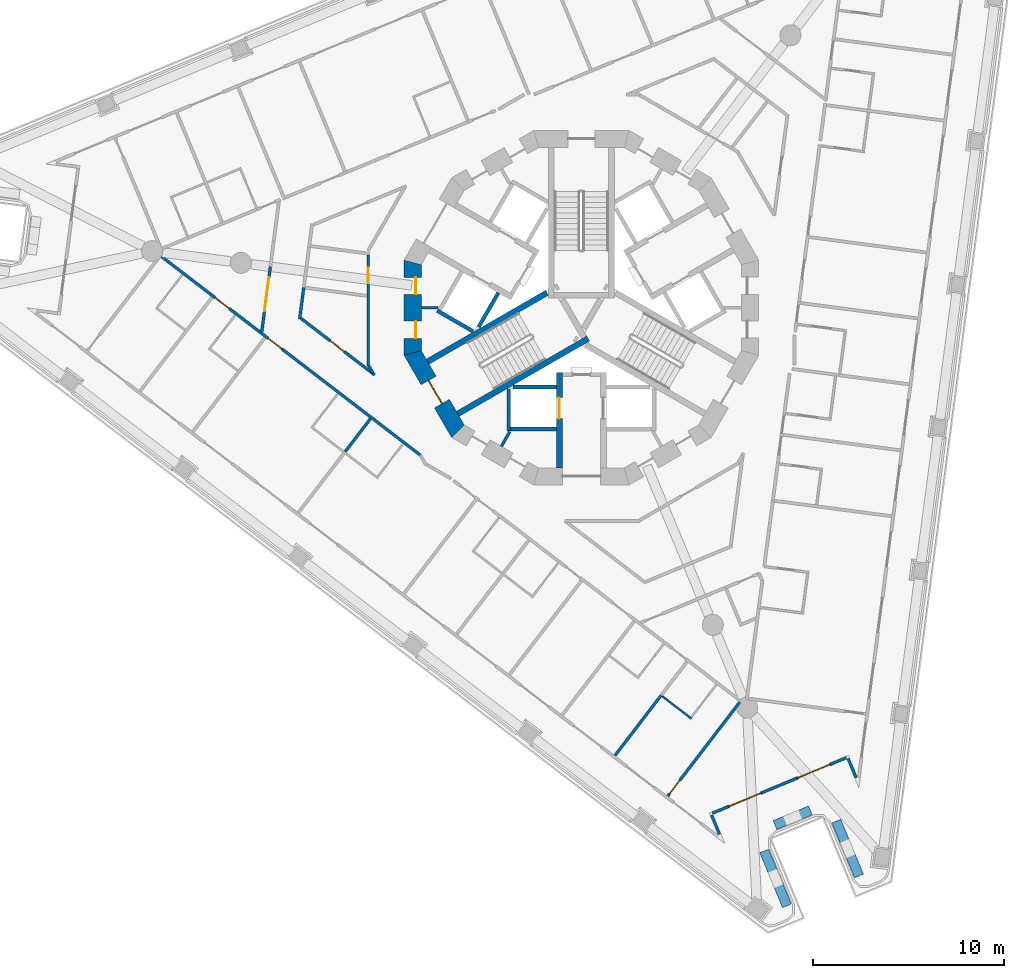
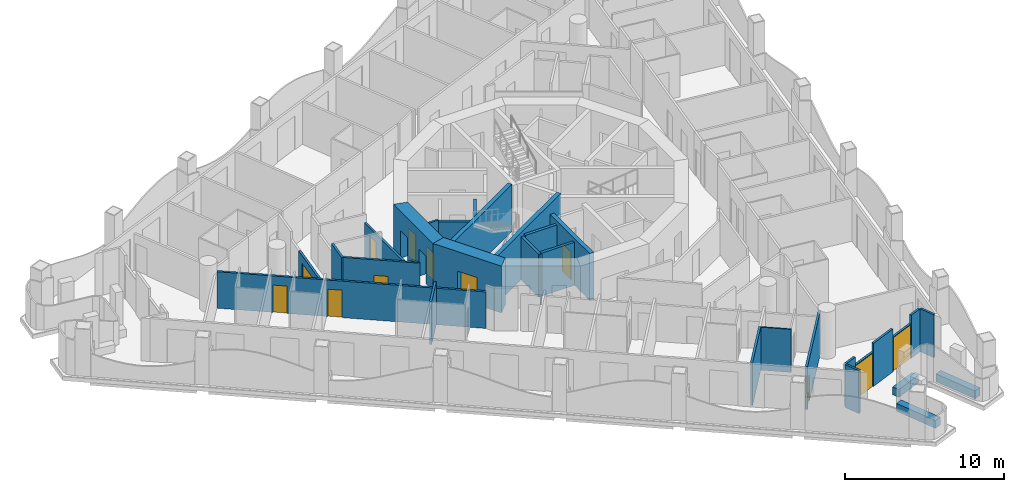
# One storey, part 3 of 17: 32 walls, 12 doors, 12 openings.
"""IFC4 building model written with IfcOpenShell, lengths in metres."""

from ifc_helpers import new_model, si_unit, direction, frame, frame_2d, origin, place, context, subcontext, project, spatial, polyline, rectangle, outline, extrude, material, layer, layer_set, type_object, element, fill, save


model = new_model("IFC4")

# Units and contexts
model_context = context("Model", 3, precision=1e-05, world=origin(), true_north=direction((0.0, 1.0)))
body_context = subcontext(model_context, "Body", "Model", "MODEL_VIEW")
ifc_project = project(units=[si_unit("LENGTHUNIT", "METRE"), si_unit("AREAUNIT", "SQUARE_METRE"), si_unit("VOLUMEUNIT", "CUBIC_METRE"), si_unit("PLANEANGLEUNIT", "RADIAN"), si_unit("MASSUNIT", "GRAM", prefix="KILO")], contexts=[model_context])

# Site, building, storey
site_placement = place(None, origin())
site = spatial("IfcSite", under=ifc_project, at=site_placement, CompositionType="ELEMENT")
building_placement = place(site_placement, origin())
building = spatial("IfcBuilding", under=site, at=building_placement, Name="Trine Commons Tower", CompositionType="ELEMENT")
storey_placement = place(building_placement, frame((0.0, 0.0, 131.39990234375)))
storey = spatial("IfcBuildingStorey", under=building, at=storey_placement, Name="L33", CompositionType="ELEMENT", Elevation=131.39990234375)

# Walls
ifc_material_1 = material(Name="Plasterboard partition on steel studs", Category="steel")
ifc_layer_1 = layer(ifc_material_1, 0.14990234375)
ifc_layer_set_1 = layer_set([ifc_layer_1], Name="Plasterboard partition on steel studs")
wall_type_1 = type_object("IfcWallType", Name="Core room partition 150 mm, EI 60", PredefinedType="PARTITIONING", material=ifc_layer_set_1)
for number, where, z_axis, x_axis, name in (
    (1, (71.626953125, 62.5, 0.0), (0.0, 0.0, 1.0), (1.0, 0.0, 0.0), "Core room partition L33"),
    (2, (75.81396484375, 55.2490234375, 0.0), (0.0, 0.0, 1.0), (0.499890179513, 0.866088799389, 0.0), "Core room partition L33"),
):
    element("IfcWall", number, at=place(storey_placement, frame(where, z_axis=z_axis, x_axis=x_axis)), inside=storey, type_object=wall_type_1, Name=name, PredefinedType="PARTITIONING", context=body_context, shape_type="SweptSolid", body=[
        extrude(rectangle(XDim=0.882080078125, YDim=0.14990234375, at=frame_2d((0.44091796875, 0.0))), origin(), (0.0, 0.0, 1.0), 3.300048828125),
    ])
ifc_material_2 = material(Name="Aluminium-framed insulated wall panel", Category="aluminium")
ifc_layer_2 = layer(ifc_material_2, 0.14990234375)
ifc_layer_set_2 = layer_set([ifc_layer_2], Name="Aluminium-framed insulated wall panel")
wall_type_2 = type_object("IfcWallType", Name="Glazed frame wall 150, EI 60", PredefinedType="SOLIDWALL", material=ifc_layer_set_2)
wall_1_placement = place(storey_placement, frame((94.42041015625, 37.78564453125, 0.0), z_axis=(0.0, 0.0, 1.0), x_axis=(-0.382629665579, 0.923901801611, 0.0)))
element("IfcWall", 3, at=wall_1_placement, inside=storey, type_object=wall_type_2, Name="Glazed frame wall R9", PredefinedType="SOLIDWALL", context=body_context, shape_type="SweptSolid", body=[
    extrude(outline(polyline([(0.1494140625, 0.074951171875), (0.1494140625, -0.074951171875), (1.235107421875, -0.074951171875), (1.235107421875, 0.074951171875), (0.1494140625, 0.074951171875)])), origin(), (0.0, 0.0, 1.0), 3.300048828125),
])
wall_2_placement = place(storey_placement, frame((93.951416015625, 39.009521484375, 0.0), z_axis=(0.0, 0.0, 1.0), x_axis=(-0.923826362943, -0.382811769845, 0.0)))
element("IfcWall", 4, at=wall_2_placement, inside=storey, type_object=wall_type_2, Name="Glazed frame wall P3.1", PredefinedType="SOLIDWALL", context=body_context, shape_type="SweptSolid", body=[
    extrude(outline(polyline([(0.110107421875, -0.074951171875), (1.0, -0.074951171875), (1.0, 0.074951171875), (0.110107421875, 0.074951171875), (0.110107421875, -0.074951171875)])), origin(), (0.0, 0.0, 1.0), 3.300048828125),
])

# Wall, opening, door
wall_3_placement = place(storey_placement, frame((93.027587890625, 38.626708984375, 0.0), z_axis=(0.0, 0.0, 1.0), x_axis=(-0.923888414498, -0.382661988648, 0.0)))
wall_3 = element("IfcWall", 5, at=wall_3_placement, inside=storey, type_object=wall_type_2, Name="Glazed frame wall P3.2", PredefinedType="SOLIDWALL", context=body_context, shape_type="SweptSolid", body=[
    extrude(outline(polyline([(0.0, -0.074951171875), (1.89990234375, -0.074951171875), (1.89990234375, 0.074951171875), (0.0, 0.074951171875), (0.0, -0.074951171875)])), origin(), (0.0, 0.0, 1.0), 2.650146484375),
])
opening_1_placement = place(wall_3_placement, frame((0.050048828125, 0.0, 0.0)))
opening_1 = element("IfcOpeningElement", 6, at=opening_1_placement, cuts=wall_3, Name="Opening BD-4P3-01", PredefinedType="OPENING", context=body_context, shape_type="SweptSolid", body=[
    extrude(rectangle(XDim=1.800048828125, YDim=2.60009765625, at=frame_2d((0.89990234375, 1.300048828125))), frame((0.0, 0.0849609375, 0.0), z_axis=(0.0, -1.0, 0.0), x_axis=(1.0, 0.0, 0.0)), (0.0, 0.0, 1.0), 0.169921875),
])
ifc_material_3 = material(Name="Anodised aluminium frame with double glazing", Category="aluminium")
door_type_1 = type_object("IfcDoorType", Name="Sliding loggia door 1800x2600", OperationType="SLIDING_TO_LEFT", PredefinedType="DOOR", material=ifc_material_3)
door_1_placement = place(opening_1_placement, origin())
door_1 = element("IfcDoor", 7, at=door_1_placement, inside=storey, type_object=door_type_1, Name="Loggia door P3 1", OperationType="SLIDING_TO_LEFT", OverallHeight=2.60009765625, OverallWidth=1.800048828125, PredefinedType="DOOR", context=body_context, shape_type="SweptSolid", body=[
    extrude(rectangle(XDim=1.800048828125, YDim=2.60009765625, at=frame_2d((0.89990234375, 1.300048828125))), frame((0.0, 0.02490234375, 0.0), z_axis=(0.0, -1.0, 0.0), x_axis=(1.0, 0.0, 0.0)), (0.0, 0.0, 1.0), 0.050048828125),
])
fill(opening_1, door_1)

# Wall
wall_4_placement = place(storey_placement, frame((91.272216796875, 37.899658203125, 0.0), z_axis=(0.0, 0.0, 1.0), x_axis=(-0.923887406181, -0.382664423091, 0.0)))
element("IfcWall", 8, at=wall_4_placement, inside=storey, type_object=wall_type_2, Name="Glazed frame wall P3.3", PredefinedType="SOLIDWALL", context=body_context, shape_type="SweptSolid", body=[
    extrude(outline(polyline([(0.0, -0.074951171875), (2.0, -0.074951171875), (2.0, 0.074951171875), (0.0, 0.074951171875), (0.0, -0.074951171875)])), origin(), (0.0, 0.0, 1.0), 3.300048828125),
])

# Wall, opening, door
wall_5_placement = place(storey_placement, frame((89.42431640625, 37.13427734375, 0.0), z_axis=(0.0, 0.0, 1.0), x_axis=(-0.923869595408, -0.382707421773, 0.0)))
wall_5 = element("IfcWall", 9, at=wall_5_placement, inside=storey, type_object=wall_type_2, Name="Glazed frame wall P3.4", PredefinedType="SOLIDWALL", context=body_context, shape_type="SweptSolid", body=[
    extrude(outline(polyline([(0.0, -0.074951171875), (1.89990234375, -0.074951171875), (1.89990234375, 0.074951171875), (0.0, 0.074951171875), (0.0, -0.074951171875)])), origin(), (0.0, 0.0, 1.0), 2.650146484375),
])
opening_2_placement = place(wall_5_placement, frame((0.050048828125, 0.0, 0.0)))
opening_2 = element("IfcOpeningElement", 10, at=opening_2_placement, cuts=wall_5, Name="Opening BD-4P3-02", PredefinedType="OPENING", context=body_context, shape_type="SweptSolid", body=[
    extrude(rectangle(XDim=1.800048828125, YDim=2.60009765625, at=frame_2d((0.89990234375, 1.300048828125))), frame((0.0, 0.0849609375, 0.0), z_axis=(0.0, -1.0, 0.0), x_axis=(1.0, 0.0, 0.0)), (0.0, 0.0, 1.0), 0.169921875),
])
door_2_placement = place(opening_2_placement, origin())
door_2 = element("IfcDoor", 11, at=door_2_placement, inside=storey, type_object=door_type_1, Name="Loggia door P3 2", OperationType="SLIDING_TO_LEFT", OverallHeight=2.60009765625, OverallWidth=1.800048828125, PredefinedType="DOOR", context=body_context, shape_type="SweptSolid", body=[
    extrude(rectangle(XDim=1.800048828125, YDim=2.60009765625, at=frame_2d((0.89990234375, 1.300048828125))), frame((0.0, 0.02490234375, 0.0), z_axis=(0.0, -1.0, 0.0), x_axis=(1.0, 0.0, 0.0)), (0.0, 0.0, 1.0), 0.050048828125),
])
fill(opening_2, door_2)

# Walls
wall_6_placement = place(storey_placement, frame((87.669189453125, 36.4072265625, 0.0), z_axis=(0.0, 0.0, 1.0), x_axis=(-0.923862128325, -0.382725447084, 0.0)))
element("IfcWall", 12, at=wall_6_placement, inside=storey, type_object=wall_type_2, Name="Glazed frame wall P3.5", PredefinedType="SOLIDWALL", context=body_context, shape_type="SweptSolid", body=[
    extrude(outline(polyline([(0.889892578125, 0.074951171875), (0.0, 0.074951171875), (0.0, -0.074951171875), (0.889892578125, -0.074951171875), (0.889892578125, 0.074951171875)])), origin(), (0.0, 0.0, 1.0), 3.300048828125),
])
wall_7_placement = place(storey_placement, frame((86.76416015625, 36.0703125, 0.0), z_axis=(0.0, 0.0, 1.0), x_axis=(0.382629665579, -0.923901801611, 0.0)))
element("IfcWall", 13, at=wall_7_placement, inside=storey, type_object=wall_type_2, Name="Glazed frame wall R11", PredefinedType="SOLIDWALL", context=body_context, shape_type="SweptSolid", body=[
    extrude(outline(polyline([(0.110107421875, 0.074951171875), (0.110107421875, -0.074951171875), (1.19580078125, -0.074951171875), (1.19580078125, 0.074951171875), (0.110107421875, 0.074951171875)])), origin(), (0.0, 0.0, 1.0), 3.300048828125),
])
ifc_material_4 = material(Name="Planter trough, precast concrete C40/50", Category="concrete")
ifc_layer_3 = layer(ifc_material_4, 0.5)
ifc_layer_set_3 = layer_set([ifc_layer_3], Name="Planter trough, precast concrete C40/50")
wall_type_3 = type_object("IfcWallType", Name="Planter trough 500x600", PredefinedType="PARAPET", material=ifc_layer_set_3)
wall_8_placement = place(storey_placement, frame((94.515625, 32.78662109375, 0.0), z_axis=(0.0, 0.0, 1.0), x_axis=(-0.382674068277, 0.923883411188, 0.0)))
element("IfcWall", 14, at=wall_8_placement, inside=storey, type_object=wall_type_3, Name="Planter 7", PredefinedType="PARAPET", context=body_context, shape_type="SweptSolid", body=[
    extrude(rectangle(XDim=3.099853515625, YDim=0.5, at=frame_2d((1.5498046875, 0.0))), origin(), (0.0, 0.0, 1.0), 0.60009765625),
])
wall_9_placement = place(storey_placement, frame((91.970703125, 36.21337890625, 0.0), z_axis=(0.0, 0.0, 1.0), x_axis=(-0.923930555985, -0.382560227567, 0.0)))
element("IfcWall", 15, at=wall_9_placement, inside=storey, type_object=wall_type_3, Name="Planter 8", PredefinedType="PARAPET", context=body_context, shape_type="SweptSolid", body=[
    extrude(rectangle(XDim=2.0, YDim=0.5, at=frame_2d((1.0, 0.0))), origin(), (0.0, 0.0, 1.0), 0.60009765625),
])
wall_10_placement = place(storey_placement, frame((89.56005859375, 34.08935546875, 0.0), z_axis=(0.0, 0.0, 1.0), x_axis=(0.382674068277, -0.923883411188, 0.0)))
element("IfcWall", 16, at=wall_10_placement, inside=storey, type_object=wall_type_3, Name="Planter 9", PredefinedType="PARAPET", context=body_context, shape_type="SweptSolid", body=[
    extrude(rectangle(XDim=3.099853515625, YDim=0.5, at=frame_2d((1.5498046875, 0.0))), origin(), (0.0, 0.0, 1.0), 0.60009765625),
])

# Wall, opening, door
ifc_material_5 = material(Name="Concrete C70/85", Category="concrete")
ifc_layer_4 = layer(ifc_material_5, 0.300048828125)
ifc_layer_set_4 = layer_set([ifc_layer_4], Name="Concrete C70/85")
wall_type_4 = type_object("IfcWallType", Name="RC shear wall 300 mm, C70/85", PredefinedType="SHEAR", material=ifc_layer_set_4)
wall_11_placement = place(storey_placement, frame((78.85009765625, 59.10009765625, 0.0), z_axis=(0.0, 0.0, 1.0), x_axis=(0.0, -1.0, 0.0)))
wall_11 = element("IfcWall", 17, at=wall_11_placement, inside=storey, type_object=wall_type_4, Name="Core cross wall SWB-03 L33", PredefinedType="SHEAR", context=body_context, shape_type="SweptSolid", body=[
    extrude(rectangle(XDim=4.97314453125, YDim=0.300048828125, at=frame_2d((2.486572265625, 0.0))), origin(), (0.0, 0.0, 1.0), 3.60009765625),
])
opening_3_placement = place(wall_11_placement, frame((1.300048828125, 0.0, 0.0)))
opening_3 = element("IfcOpeningElement", 18, at=opening_3_placement, cuts=wall_11, Name="Opening LD10", PredefinedType="OPENING", context=body_context, shape_type="SweptSolid", body=[
    extrude(rectangle(XDim=1.10009765625, YDim=2.10009765625, at=frame_2d((0.550048828125, 1.050048828125))), frame((0.0, 0.159912109375, 0.0), z_axis=(0.0, -1.0, 0.0), x_axis=(1.0, 0.0, 0.0)), (0.0, 0.0, 1.0), 0.320068359375),
])
ifc_material_6 = material(Name="Stainless steel sliding door leaves", Category="steel")
door_type_2 = type_object("IfcDoorType", Name="Lift landing door, centre-opening sliding 1100 x 2100, FD90", OperationType="DOUBLE_DOOR_SLIDING", PredefinedType="DOOR", material=ifc_material_6)
door_3_placement = place(opening_3_placement, origin())
door_3 = element("IfcDoor", 19, at=door_3_placement, inside=storey, type_object=door_type_2, Name="Lift landing door FF2 L33", OperationType="DOUBLE_DOOR_SLIDING", OverallHeight=2.10009765625, OverallWidth=1.10009765625, PredefinedType="DOOR", context=body_context, shape_type="SweptSolid", body=[
    extrude(rectangle(XDim=1.10009765625, YDim=2.10009765625, at=frame_2d((0.550048828125, 1.050048828125))), frame((0.0, 0.02490234375, 0.0), z_axis=(0.0, -1.0, 0.0), x_axis=(1.0, 0.0, 0.0)), (0.0, 0.0, 1.0), 0.050048828125),
])
fill(opening_3, door_3)

# Walls
wall_12_placement = place(storey_placement, frame((78.199951171875, 63.280029296875, 0.0), z_axis=(0.0, 0.0, 1.0), x_axis=(-0.866028135082, -0.499995269223, 0.0)))
element("IfcWall", 20, at=wall_12_placement, inside=storey, type_object=wall_type_4, Name="Core cross wall SWB-07 L33", PredefinedType="SHEAR", context=body_context, shape_type="SweptSolid", body=[
    extrude(rectangle(XDim=7.2041015625, YDim=0.300048828125, at=frame_2d((3.60205078125, 0.0))), origin(), (0.0, 0.0, 1.0), 3.60009765625),
])
wall_13_placement = place(storey_placement, frame((80.35400390625, 60.885986328125, 0.0), z_axis=(0.0, 0.0, 1.0), x_axis=(-0.866047706748, -0.499961368145, 0.0)))
element("IfcWall", 21, at=wall_13_placement, inside=storey, type_object=wall_type_4, Name="Core cross wall SWB-14 L33", PredefinedType="SHEAR", context=body_context, shape_type="SweptSolid", body=[
    extrude(rectangle(XDim=7.87255859375, YDim=0.300048828125, at=frame_2d((3.936279296875, 0.0))), origin(), (0.0, 0.0, 1.0), 3.60009765625),
])

# Wall, openings, doors
ifc_layer_5 = layer(ifc_material_5, 0.89990234375)
ifc_layer_set_5 = layer_set([ifc_layer_5], Name="Concrete C70/85")
wall_type_5 = type_object("IfcWallType", Name="RC shear wall 900 mm, C70/85", PredefinedType="SHEAR", material=ifc_layer_set_5)
wall_14_placement = place(storey_placement, frame((71.177001953125, 64.984619140625, 0.0), z_axis=(0.0, 0.0, 1.0), x_axis=(0.0, -1.0, 0.0)))
wall_14 = element("IfcWall", 22, at=wall_14_placement, inside=storey, type_object=wall_type_5, Name="Core wall CWD-07 L33", PredefinedType="SHEAR", context=body_context, shape_type="SweptSolid", body=[
    extrude(outline(polyline([(0.0, -0.449951171875), (4.969482421875, -0.449951171875), (4.728271484375, 0.449951171875), (0.2412109375, 0.449951171875), (0.0, -0.449951171875)])), origin(), (0.0, 0.0, 1.0), 3.60009765625),
])
opening_4_placement = place(wall_14_placement, frame((0.893798828125, 0.0, 0.0)))
opening_4 = element("IfcOpeningElement", 23, at=opening_4_placement, cuts=wall_14, Name="Opening K12.16", PredefinedType="OPENING", context=body_context, shape_type="SweptSolid", body=[
    extrude(rectangle(XDim=0.89990234375, YDim=2.10009765625, at=frame_2d((0.449951171875, 1.050048828125))), frame((0.0, 0.4599609375, 0.0), z_axis=(0.0, -1.0, 0.0), x_axis=(1.0, 0.0, 0.0)), (0.0, 0.0, 1.0), 0.919921875),
])
opening_5_placement = place(wall_14_placement, frame((3.184814453125, 0.0, 0.0)))
opening_5 = element("IfcOpeningElement", 24, at=opening_5_placement, cuts=wall_14, Name="Opening K12.17", PredefinedType="OPENING", context=body_context, shape_type="SweptSolid", body=[
    extrude(rectangle(XDim=0.89990234375, YDim=2.10009765625, at=frame_2d((0.449951171875, 1.050048828125))), frame((0.0, 0.4599609375, 0.0), z_axis=(0.0, -1.0, 0.0), x_axis=(1.0, 0.0, 0.0)), (0.0, 0.0, 1.0), 0.919921875),
])
ifc_material_7 = material(Name="Steel door leaf, fire-rated", Category="steel")
door_type_3 = type_object("IfcDoorType", Name="Core room door, single leaf 900 x 2100, FD30S", OperationType="SINGLE_SWING_LEFT", PredefinedType="DOOR", material=ifc_material_7)
door_4_placement = place(opening_4_placement, origin())
door_4 = element("IfcDoor", 25, at=door_4_placement, inside=storey, type_object=door_type_3, Name="Door to Pantry L33", OperationType="SINGLE_SWING_LEFT", OverallHeight=2.10009765625, OverallWidth=0.89990234375, PredefinedType="DOOR", context=body_context, shape_type="SweptSolid", body=[
    extrude(rectangle(XDim=0.89990234375, YDim=2.10009765625, at=frame_2d((0.449951171875, 1.050048828125))), frame((0.0, 0.1748046875, 0.0), z_axis=(0.0, -1.0, 0.0), x_axis=(1.0, 0.0, 0.0)), (0.0, 0.0, 1.0), 0.050048828125),
])
fill(opening_4, door_4)
door_5_placement = place(opening_5_placement, origin())
door_5 = element("IfcDoor", 26, at=door_5_placement, inside=storey, type_object=door_type_3, Name="Door to Comms room L33", OperationType="SINGLE_SWING_RIGHT", OverallHeight=2.10009765625, OverallWidth=0.89990234375, PredefinedType="DOOR", context=body_context, shape_type="SweptSolid", body=[
    extrude(rectangle(XDim=0.89990234375, YDim=2.10009765625, at=frame_2d((0.449951171875, 1.050048828125))), frame((0.0, 0.1748046875, 0.0), z_axis=(0.0, -1.0, 0.0), x_axis=(1.0, 0.0, 0.0)), (0.0, 0.0, 1.0), 0.050048828125),
])
fill(opening_5, door_5)

# Wall, opening, door
wall_15_placement = place(storey_placement, frame((71.11669921875, 60.240234375, 0.0), z_axis=(0.0, 0.0, 1.0), x_axis=(0.500038571144, -0.866003133579, 0.0)))
wall_15 = element("IfcWall", 27, at=wall_15_placement, inside=storey, type_object=wall_type_5, Name="Core wall CWD-08 L33", PredefinedType="SHEAR", context=body_context, shape_type="SweptSolid", body=[
    extrude(outline(polyline([(0.0, -0.449951171875), (4.96923828125, -0.449951171875), (4.72802734375, 0.449951171875), (0.2412109375, 0.449951171875), (0.0, -0.449951171875)])), origin(), (0.0, 0.0, 1.0), 3.60009765625),
])
opening_6_placement = place(wall_15_placement, frame((1.78466796875, 0.0, 0.0)))
opening_6 = element("IfcOpeningElement", 28, at=opening_6_placement, cuts=wall_15, Name="Opening K12.02", PredefinedType="OPENING", context=body_context, shape_type="SweptSolid", body=[
    extrude(rectangle(XDim=1.39990234375, YDim=2.10009765625, at=frame_2d((0.699951171875, 1.050048828125))), frame((0.0, 0.4599609375, 0.0), z_axis=(0.0, -1.0, 0.0), x_axis=(1.0, 0.0, 0.0)), (0.0, 0.0, 1.0), 0.919921875),
])
ifc_material_8 = material(Name="Steel door leaves, fire-rated", Category="steel")
door_type_4 = type_object("IfcDoorType", Name="Stair door, double leaf 1400 x 2100, FD90", OperationType="DOUBLE_DOOR_SINGLE_SWING", PredefinedType="DOOR", material=ifc_material_8)
door_6_placement = place(opening_6_placement, origin())
door_6 = element("IfcDoor", 29, at=door_6_placement, inside=storey, type_object=door_type_4, Name="Stair door to Exit stair ST2B L33", OperationType="DOUBLE_DOOR_SINGLE_SWING", OverallHeight=2.10009765625, OverallWidth=1.39990234375, PredefinedType="DOOR", context=body_context, shape_type="SweptSolid", body=[
    extrude(rectangle(XDim=1.39990234375, YDim=2.10009765625, at=frame_2d((0.699951171875, 1.050048828125))), frame((0.0, 0.02490234375, 0.0), z_axis=(0.0, -1.0, 0.0), x_axis=(1.0, 0.0, 0.0)), (0.0, 0.0, 1.0), 0.050048828125),
])
fill(opening_6, door_6)

# Walls
ifc_material_9 = material(Name="Fire-rated gypsum shaft wall system")
ifc_layer_6 = layer(ifc_material_9, 0.199951171875)
ifc_layer_set_6 = layer_set([ifc_layer_6], Name="Fire-rated gypsum shaft wall system")
wall_type_6 = type_object("IfcWallType", Name="Shaft wall 200 mm, EI 120", PredefinedType="PARTITIONING", material=ifc_layer_set_6)
wall_16_placement = place(storey_placement, frame((74.324951171875, 61.27392578125, 0.0), z_axis=(0.0, 0.0, 1.0), x_axis=(-0.866102336459, 0.499866725018, 0.0)))
element("IfcWall", 30, at=wall_16_placement, inside=storey, type_object=wall_type_6, Name="Shaft wall L33", PredefinedType="PARTITIONING", context=body_context, shape_type="SweptSolid", body=[
    extrude(rectangle(XDim=2.1484375, YDim=0.199951171875, at=frame_2d((1.07421875, 0.0))), origin(), (0.0, 0.0, 1.0), 3.300048828125),
])
wall_17_placement = place(storey_placement, frame((75.656005859375, 63.27587890625, 0.0), z_axis=(0.0, 0.0, 1.0), x_axis=(-0.500271688072, -0.86586848777, 0.0)))
element("IfcWall", 31, at=wall_17_placement, inside=storey, type_object=wall_type_6, Name="Shaft wall L33", PredefinedType="PARTITIONING", context=body_context, shape_type="SweptSolid", body=[
    extrude(rectangle(XDim=2.064697265625, YDim=0.199951171875, at=frame_2d((1.0322265625, 0.0))), origin(), (0.0, 0.0, 1.0), 3.300048828125),
])
wall_18_placement = place(storey_placement, frame((76.199951171875, 58.257080078125, 0.0), z_axis=(0.0, 0.0, 1.0), x_axis=(0.0, -1.0, 0.0)))
element("IfcWall", 32, at=wall_18_placement, inside=storey, type_object=wall_type_6, Name="Shaft wall L33", PredefinedType="PARTITIONING", context=body_context, shape_type="SweptSolid", body=[
    extrude(rectangle(XDim=2.20703125, YDim=0.199951171875, at=frame_2d((1.103515625, 0.0))), origin(), (0.0, 0.0, 1.0), 3.300048828125),
])
wall_19_placement = place(storey_placement, frame((78.699951171875, 56.14990234375, 0.0), z_axis=(0.0, 0.0, 1.0), x_axis=(-1.0, 0.0, 0.0)))
element("IfcWall", 33, at=wall_19_placement, inside=storey, type_object=wall_type_6, Name="Shaft wall L33", PredefinedType="PARTITIONING", context=body_context, shape_type="SweptSolid", body=[
    extrude(rectangle(XDim=2.39990234375, YDim=0.199951171875, at=frame_2d((1.199951171875, 0.0))), origin(), (0.0, 0.0, 1.0), 3.300048828125),
])
wall_20_placement = place(storey_placement, frame((78.699951171875, 58.35009765625, 0.0), z_axis=(0.0, 0.0, 1.0), x_axis=(-1.0, 0.0, 0.0)))
element("IfcWall", 34, at=wall_20_placement, inside=storey, type_object=wall_type_6, Name="Shaft wall L33", PredefinedType="PARTITIONING", context=body_context, shape_type="SweptSolid", body=[
    extrude(rectangle(XDim=2.264892578125, YDim=0.199951171875, at=frame_2d((1.13232421875, 0.0))), origin(), (0.0, 0.0, 1.0), 3.300048828125),
])

# Wall, openings, doors
ifc_material_10 = material(Name="Gypsum plasterboard on steel stud", Category="steel")
ifc_layer_7 = layer(ifc_material_10, 0.14990234375)
ifc_layer_set_7 = layer_set([ifc_layer_7], Name="Gypsum plasterboard on steel stud")
wall_type_7 = type_object("IfcWallType", Name="Unit and corridor wall 150 mm, EI 60", PredefinedType="PARTITIONING", material=ifc_layer_set_7)
wall_21_placement = place(storey_placement, frame((58.04150390625, 65.17626953125, 0.0), z_axis=(0.0, 0.0, 1.0), x_axis=(0.793390311924, -0.608713243609, 0.0)))
wall_21 = element("IfcWall", 35, at=wall_21_placement, inside=storey, type_object=wall_type_7, Name="Partition 006", PredefinedType="PARTITIONING", context=body_context, shape_type="SweptSolid", body=[
    extrude(rectangle(XDim=17.064208984375, YDim=0.14990234375, at=frame_2d((8.5322265625, 0.0))), origin(), (0.0, 0.0, 1.0), 2.800048828125),
])
opening_7_placement = place(wall_21_placement, frame((7.02880859375, 0.0, 0.0)))
opening_7 = element("IfcOpeningElement", 36, at=opening_7_placement, cuts=wall_21, Name="Opening D-4A29", PredefinedType="OPENING", context=body_context, shape_type="SweptSolid", body=[
    extrude(rectangle(XDim=0.89990234375, YDim=2.10009765625, at=frame_2d((0.449951171875, 1.050048828125))), frame((0.0, 0.0849609375, 0.0), z_axis=(0.0, -1.0, 0.0), x_axis=(1.0, 0.0, 0.0)), (0.0, 0.0, 1.0), 0.169921875),
])
opening_8_placement = place(wall_21_placement, frame((3.55126953125, 0.0, 0.0)))
opening_8 = element("IfcOpeningElement", 37, at=opening_8_placement, cuts=wall_21, Name="Opening D-4A30", PredefinedType="OPENING", context=body_context, shape_type="SweptSolid", body=[
    extrude(rectangle(XDim=0.89990234375, YDim=2.10009765625, at=frame_2d((0.449951171875, 1.050048828125))), frame((0.0, 0.0849609375, 0.0), z_axis=(0.0, -1.0, 0.0), x_axis=(1.0, 0.0, 0.0)), (0.0, 0.0, 1.0), 0.169921875),
])
ifc_material_11 = material(Name="Timber fire door set", Category="wood")
door_type_5 = type_object("IfcDoorType", Name="Bedroom door 900 x 2100, FD30S", OperationType="NOTDEFINED", PredefinedType="DOOR", material=ifc_material_11)
door_7_placement = place(opening_7_placement, frame((0.89990234375, 0.0, 0.0), z_axis=(0.0, 0.0, 1.0), x_axis=(-1.0, 0.0, 0.0)))
door_7 = element("IfcDoor", 38, at=door_7_placement, inside=storey, type_object=door_type_5, Name="Door D-4A29", OperationType="SINGLE_SWING_RIGHT", OverallHeight=2.10009765625, OverallWidth=0.89990234375, PredefinedType="DOOR", context=body_context, shape_type="SweptSolid", body=[
    extrude(rectangle(XDim=0.89990234375, YDim=2.10009765625, at=frame_2d((0.449951171875, 1.050048828125))), frame((0.0, 0.02490234375, 0.0), z_axis=(0.0, -1.0, 0.0), x_axis=(1.0, 0.0, 0.0)), (0.0, 0.0, 1.0), 0.050048828125),
])
fill(opening_7, door_7)
door_8_placement = place(opening_8_placement, frame((0.89990234375, 0.0, 0.0), z_axis=(0.0, 0.0, 1.0), x_axis=(-1.0, 0.0, 0.0)))
door_8 = element("IfcDoor", 39, at=door_8_placement, inside=storey, type_object=door_type_5, Name="Door D-4A30", OperationType="SINGLE_SWING_RIGHT", OverallHeight=2.10009765625, OverallWidth=0.89990234375, PredefinedType="DOOR", context=body_context, shape_type="SweptSolid", body=[
    extrude(rectangle(XDim=0.89990234375, YDim=2.10009765625, at=frame_2d((0.449951171875, 1.050048828125))), frame((0.0, 0.02490234375, 0.0), z_axis=(0.0, -1.0, 0.0), x_axis=(1.0, 0.0, 0.0)), (0.0, 0.0, 1.0), 0.050048828125),
])
fill(opening_8, door_8)

# Wall, opening, door
wall_22_placement = place(storey_placement, frame((63.286865234375, 61.2333984375, 0.0), z_axis=(0.0, 0.0, 1.0), x_axis=(0.130693367383, 0.991422838007, 0.0)))
wall_22 = element("IfcWall", 40, at=wall_22_placement, inside=storey, type_object=wall_type_7, Name="Partition 021", PredefinedType="PARTITIONING", context=body_context, shape_type="SweptSolid", body=[
    extrude(rectangle(XDim=3.437255859375, YDim=0.14990234375, at=frame_2d((1.71875, 0.0))), origin(), (0.0, 0.0, 1.0), 2.7001953125),
])
opening_9_placement = place(wall_22_placement, frame((1.0859375, 0.0, 0.0)))
opening_9 = element("IfcOpeningElement", 41, at=opening_9_placement, cuts=wall_22, Name="Opening D-4A03", PredefinedType="OPENING", context=body_context, shape_type="SweptSolid", body=[
    extrude(rectangle(XDim=1.800048828125, YDim=2.10009765625, at=frame_2d((0.89990234375, 1.050048828125))), frame((0.0, 0.0849609375, 0.0), z_axis=(0.0, -1.0, 0.0), x_axis=(1.0, 0.0, 0.0)), (0.0, 0.0, 1.0), 0.169921875),
])
door_type_6 = type_object("IfcDoorType", Name="Cluster entrance door 1800 x 2100, double leaf, FD30S", OperationType="DOUBLE_DOOR_DOUBLE_SWING", PredefinedType="DOOR", material=ifc_material_11)
door_9_placement = place(opening_9_placement, origin())
door_9 = element("IfcDoor", 42, at=door_9_placement, inside=storey, type_object=door_type_6, Name="Door D-4A03", OperationType="DOUBLE_DOOR_DOUBLE_SWING", OverallHeight=2.10009765625, OverallWidth=1.800048828125, PredefinedType="DOOR", context=body_context, shape_type="SweptSolid", body=[
    extrude(rectangle(XDim=1.800048828125, YDim=2.10009765625, at=frame_2d((0.89990234375, 1.050048828125))), frame((0.0, 0.02490234375, 0.0), z_axis=(0.0, -1.0, 0.0), x_axis=(1.0, 0.0, 0.0)), (0.0, 0.0, 1.0), 0.050048828125),
])
fill(opening_9, door_9)

# Wall
wall_23_placement = place(storey_placement, frame((65.26708984375, 61.91259765625, 0.0), z_axis=(0.0, 0.0, 1.0), x_axis=(0.130621934677, 0.991432251937, 0.0)))
element("IfcWall", 43, at=wall_23_placement, inside=storey, type_object=wall_type_7, Name="Partition 027", PredefinedType="PARTITIONING", context=body_context, shape_type="SweptSolid", body=[
    extrude(rectangle(XDim=1.65966796875, YDim=0.14990234375, at=frame_2d((0.829833984375, 0.0))), origin(), (0.0, 0.0, 1.0), 3.300048828125),
])

# Wall, opening, door
wall_24_placement = place(storey_placement, frame((65.33642578125, 61.94140625, 0.0), z_axis=(0.0, 0.0, 1.0), x_axis=(0.79340079326, -0.608699582105, 0.0)))
wall_24 = element("IfcWall", 44, at=wall_24_placement, inside=storey, type_object=wall_type_7, Name="Partition 028", PredefinedType="PARTITIONING", context=body_context, shape_type="SweptSolid", body=[
    extrude(rectangle(XDim=4.8564453125, YDim=0.14990234375, at=frame_2d((2.42822265625, 0.0))), origin(), (0.0, 0.0, 1.0), 3.300048828125),
])
opening_10_placement = place(wall_24_placement, frame((1.940185546875, 0.0, 0.0)))
opening_10 = element("IfcOpeningElement", 45, at=opening_10_placement, cuts=wall_24, Name="Opening D-4A33", PredefinedType="OPENING", context=body_context, shape_type="SweptSolid", body=[
    extrude(rectangle(XDim=0.89990234375, YDim=2.10009765625, at=frame_2d((0.449951171875, 1.050048828125))), frame((0.0, 0.0849609375, 0.0), z_axis=(0.0, -1.0, 0.0), x_axis=(1.0, 0.0, 0.0)), (0.0, 0.0, 1.0), 0.169921875),
])
door_type_7 = type_object("IfcDoorType", Name="Service door 900 x 2100, FD30S", OperationType="NOTDEFINED", PredefinedType="DOOR", material=ifc_material_11)
door_10_placement = place(opening_10_placement, origin())
door_10 = element("IfcDoor", 46, at=door_10_placement, inside=storey, type_object=door_type_7, Name="Door D-4A33", OperationType="SINGLE_SWING_LEFT", OverallHeight=2.10009765625, OverallWidth=0.89990234375, PredefinedType="DOOR", context=body_context, shape_type="SweptSolid", body=[
    extrude(rectangle(XDim=0.89990234375, YDim=2.10009765625, at=frame_2d((0.449951171875, 1.050048828125))), frame((0.0, 0.02490234375, 0.0), z_axis=(0.0, -1.0, 0.0), x_axis=(1.0, 0.0, 0.0)), (0.0, 0.0, 1.0), 0.050048828125),
])
fill(opening_10, door_10)

# Wall
wall_25_placement = place(storey_placement, frame((67.6474609375, 54.9697265625, 0.0), z_axis=(0.0, 0.0, 1.0), x_axis=(0.608674216197, 0.79342025342, 0.0)))
element("IfcWall", 47, at=wall_25_placement, inside=storey, type_object=wall_type_7, Name="Partition 036", PredefinedType="PARTITIONING", context=body_context, shape_type="SweptSolid", body=[
    extrude(rectangle(XDim=2.17529296875, YDim=0.14990234375, at=frame_2d((1.087646484375, 0.0))), origin(), (0.0, 0.0, 1.0), 3.300048828125),
])

# Wall, opening, door
wall_26_placement = place(storey_placement, frame((68.85205078125, 59.43798828125, 0.0), z_axis=(0.0, 0.0, 1.0), x_axis=(0.0, 1.0, 0.0)))
wall_26 = element("IfcWall", 48, at=wall_26_placement, inside=storey, type_object=wall_type_7, Name="Partition 038", PredefinedType="PARTITIONING", context=body_context, shape_type="SweptSolid", body=[
    extrude(rectangle(XDim=5.820068359375, YDim=0.14990234375, at=frame_2d((2.91015625, 0.0))), origin(), (0.0, 0.0, 1.0), 2.7001953125),
])
opening_11_placement = place(wall_26_placement, frame((4.345947265625, 0.0, 0.0)))
opening_11 = element("IfcOpeningElement", 49, at=opening_11_placement, cuts=wall_26, Name="Opening D-4A37", PredefinedType="OPENING", context=body_context, shape_type="SweptSolid", body=[
    extrude(rectangle(XDim=0.800048828125, YDim=2.10009765625, at=frame_2d((0.39990234375, 1.050048828125))), frame((0.0, 0.0849609375, 0.0), z_axis=(0.0, -1.0, 0.0), x_axis=(1.0, 0.0, 0.0)), (0.0, 0.0, 1.0), 0.169921875),
])
ifc_material_12 = material(Name="Painted timber", Category="wood")
door_type_8 = type_object("IfcDoorType", Name="Toilet door 800 x 2100, NOT RATED", OperationType="NOTDEFINED", PredefinedType="DOOR", material=ifc_material_12)
door_11_placement = place(opening_11_placement, origin())
door_11 = element("IfcDoor", 50, at=door_11_placement, inside=storey, type_object=door_type_8, Name="Door D-4A37", OperationType="SINGLE_SWING_RIGHT", OverallHeight=2.10009765625, OverallWidth=0.800048828125, PredefinedType="DOOR", context=body_context, shape_type="SweptSolid", body=[
    extrude(rectangle(XDim=0.800048828125, YDim=2.10009765625, at=frame_2d((0.39990234375, 1.050048828125))), frame((0.0, 0.02490234375, 0.0), z_axis=(0.0, -1.0, 0.0), x_axis=(1.0, 0.0, 0.0)), (0.0, 0.0, 1.0), 0.050048828125),
])
fill(opening_11, door_11)

# Walls
wall_27_placement = place(storey_placement, frame((68.889404296875, 59.447998046875, 0.0), z_axis=(0.0, 0.0, 1.0), x_axis=(0.499481060725, -0.866324806281, 0.0)))
element("IfcWall", 51, at=wall_27_placement, inside=storey, type_object=wall_type_7, Name="Partition 039", PredefinedType="PARTITIONING", context=body_context, shape_type="SweptSolid", body=[
    extrude(rectangle(XDim=0.40869140625, YDim=0.14990234375, at=frame_2d((0.204345703125, 0.0))), origin(), (0.0, 0.0, 1.0), 3.300048828125),
])
wall_28_placement = place(storey_placement, frame((81.75341796875, 39.07958984375, 0.0), z_axis=(0.0, 0.0, 1.0), x_axis=(0.608586492439, 0.793487543204, 0.0)))
element("IfcWall", 52, at=wall_28_placement, inside=storey, type_object=wall_type_7, Name="Partition 066", PredefinedType="PARTITIONING", context=body_context, shape_type="SweptSolid", body=[
    extrude(rectangle(XDim=3.968994140625, YDim=0.14990234375, at=frame_2d((1.984375, 0.0))), origin(), (0.0, 0.0, 1.0), 3.300048828125),
])

# Wall, opening, door
wall_29_placement = place(storey_placement, frame((84.51220703125, 36.962646484375, 0.0), z_axis=(0.0, 0.0, 1.0), x_axis=(0.608712047114, 0.79339122991, 0.0)))
wall_29 = element("IfcWall", 53, at=wall_29_placement, inside=storey, type_object=wall_type_7, Name="Partition 076", PredefinedType="PARTITIONING", context=body_context, shape_type="SweptSolid", body=[
    extrude(rectangle(XDim=6.193359375, YDim=0.14990234375, at=frame_2d((3.0966796875, 0.0))), origin(), (0.0, 0.0, 1.0), 3.300048828125),
])
opening_12_placement = place(wall_29_placement, frame((0.14990234375, 0.0, 0.0)))
opening_12 = element("IfcOpeningElement", 54, at=opening_12_placement, cuts=wall_29, Name="Opening D-4A23", PredefinedType="OPENING", context=body_context, shape_type="SweptSolid", body=[
    extrude(rectangle(XDim=0.89990234375, YDim=2.10009765625, at=frame_2d((0.449951171875, 1.050048828125))), frame((0.0, 0.0849609375, 0.0), z_axis=(0.0, -1.0, 0.0), x_axis=(1.0, 0.0, 0.0)), (0.0, 0.0, 1.0), 0.169921875),
])
door_12_placement = place(opening_12_placement, origin())
door_12 = element("IfcDoor", 55, at=door_12_placement, inside=storey, type_object=door_type_5, Name="Door D-4A23", OperationType="SINGLE_SWING_LEFT", OverallHeight=2.10009765625, OverallWidth=0.89990234375, PredefinedType="DOOR", context=body_context, shape_type="SweptSolid", body=[
    extrude(rectangle(XDim=0.89990234375, YDim=2.10009765625, at=frame_2d((0.449951171875, 1.050048828125))), frame((0.0, 0.02490234375, 0.0), z_axis=(0.0, -1.0, 0.0), x_axis=(1.0, 0.0, 0.0)), (0.0, 0.0, 1.0), 0.050048828125),
])
fill(opening_12, door_12)

# Wall
ifc_layer_8 = layer(ifc_material_10, 0.10009765625)
ifc_layer_set_8 = layer_set([ifc_layer_8], Name="Gypsum plasterboard on steel stud")
wall_type_8 = type_object("IfcWallType", Name="Unit partition 100 mm, no rating", PredefinedType="PARTITIONING", material=ifc_layer_set_8)
wall_30_placement = place(storey_placement, frame((84.228515625, 42.183349609375, 0.0), z_axis=(0.0, 0.0, 1.0), x_axis=(0.793391951231, -0.608711106948, 0.0)))
element("IfcWall", 56, at=wall_30_placement, inside=storey, type_object=wall_type_8, Name="Partition 075", PredefinedType="PARTITIONING", context=body_context, shape_type="SweptSolid", body=[
    extrude(rectangle(XDim=1.9248046875, YDim=0.10009765625, at=frame_2d((0.96240234375, 0.0))), origin(), (0.0, 0.0, 1.0), 3.300048828125),
])

save(model, "model.ifc")
